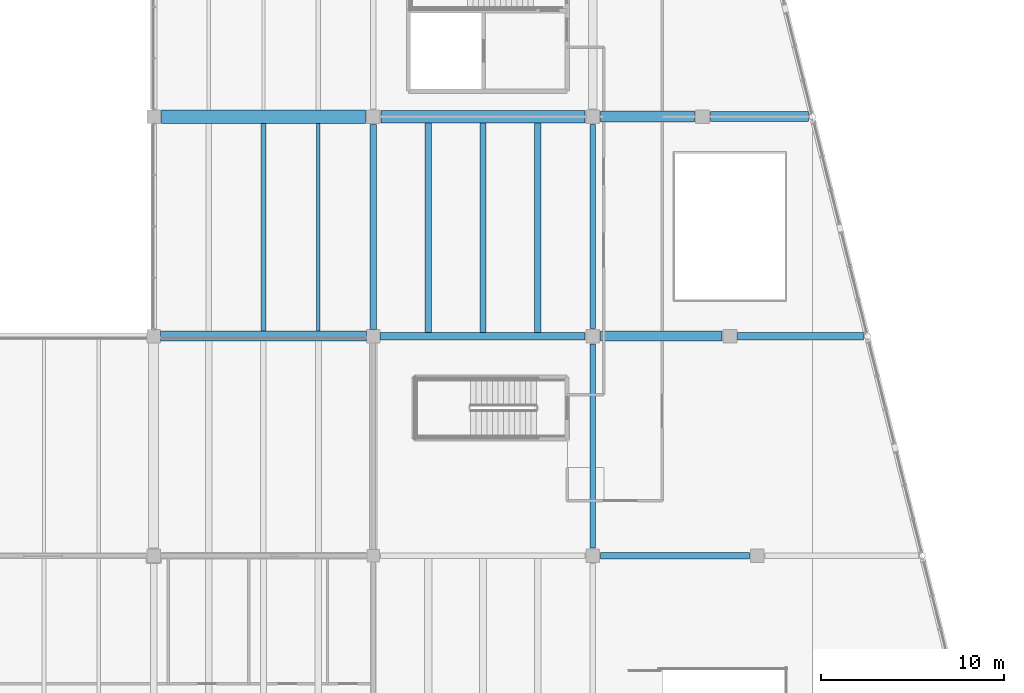
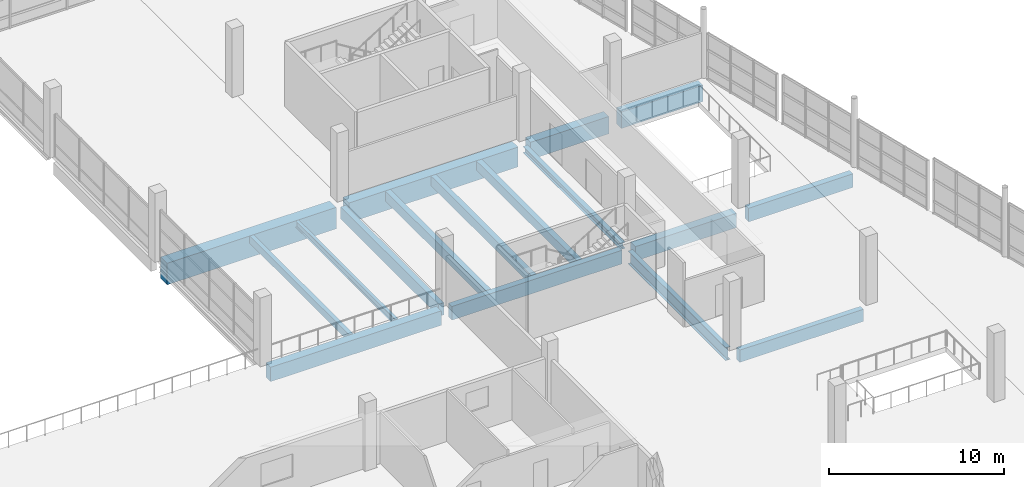
# One storey, part 38 of 112: 17 beams.
"""IFC4 building model written with IfcOpenShell, lengths in metres."""

from ifc_helpers import new_model, si_unit, direction, frame, origin, origin_2d, place, context, subcontext, project, spatial, rectangle, i_section, extrude, material, material_profile, profile_set, type_object, element, save


model = new_model("IFC4")

# Units and contexts
model_context = context("Model", 3, precision=1e-05, world=origin(), true_north=direction((0.0, 1.0)))
body_context = subcontext(model_context, "Body", "Model", "MODEL_VIEW")
ifc_project = project(units=[si_unit("LENGTHUNIT", "METRE"), si_unit("AREAUNIT", "SQUARE_METRE"), si_unit("VOLUMEUNIT", "CUBIC_METRE"), si_unit("PLANEANGLEUNIT", "RADIAN"), si_unit("MASSUNIT", "GRAM", prefix="KILO")], contexts=[model_context])

# Site, building, storey
site_placement = place(None, origin())
site = spatial("IfcSite", under=ifc_project, at=site_placement, CompositionType="ELEMENT")
building_placement = place(site_placement, origin())
building = spatial("IfcBuilding", under=site, at=building_placement, Name="Kamomehara Wholesale Market", CompositionType="ELEMENT")
storey_placement = place(building_placement, frame((0.0, 0.0, 6.60009765625)))
storey = spatial("IfcBuildingStorey", under=building, at=storey_placement, Name="L01", CompositionType="ELEMENT", Elevation=6.60009765625)

# Beams
ifc_material_1 = material(Name="Precast concrete Fc45 (C40/50)", Category="concrete")
ifc_material_profile_1 = material_profile(ifc_material_1, rectangle(XDim=0.550048828125, YDim=1.14990234375, at=origin_2d()), Name="PC-GRD-550x1150")
ifc_profile_set_1 = profile_set([ifc_material_profile_1], Name="Precast concrete Fc45 (C40/50)")
beam_type_1 = type_object("IfcBeamType", Name="BM-PG1150", PredefinedType="T_BEAM", material=ifc_profile_set_1)
beam_1_placement = place(storey_placement, frame((186.425048828125, 72.0, -0.927001953125), z_axis=(1.0, 0.0, 0.0), x_axis=(0.0, 1.0, 0.0)))
element("IfcBeam", 1, at=beam_1_placement, inside=storey, type_object=beam_type_1, Name="Beam PG-06 L01", PredefinedType="T_BEAM", context=body_context, shape_type="SweptSolid", body=[
    extrude(rectangle(XDim=0.550048828125, YDim=1.14990234375, at=origin_2d()), origin(), (0.0, 0.0, 1.0), 5.3720703125),
])
ifc_material_2 = material(Name="Precast concrete Fc45 (C40/50)", Category="concrete")
ifc_material_profile_2 = material_profile(ifc_material_2, rectangle(XDim=0.60009765625, YDim=1.199951171875, at=origin_2d()), Name="PC-GRD-600x1200")
ifc_profile_set_2 = profile_set([ifc_material_profile_2], Name="Precast concrete Fc45 (C40/50)")
beam_type_2 = type_object("IfcBeamType", Name="BM-PG1200", PredefinedType="T_BEAM", material=ifc_profile_set_2)
beam_2_placement = place(storey_placement, frame((180.425048828125, 72.0, -0.9521484375), z_axis=(1.0, 0.0, 0.0), x_axis=(0.0, 1.0, 0.0)))
element("IfcBeam", 2, at=beam_2_placement, inside=storey, type_object=beam_type_2, Name="Beam PG-05 L01", PredefinedType="T_BEAM", context=body_context, shape_type="SweptSolid", body=[
    extrude(rectangle(XDim=0.60009765625, YDim=1.199951171875, at=origin_2d()), origin(), (0.0, 0.0, 1.0), 5.14990234375),
])
ifc_material_3 = material(Name="Precast concrete Fc45 (C40/50)", Category="concrete")
ifc_material_profile_3 = material_profile(ifc_material_3, rectangle(XDim=0.679931640625, YDim=1.3798828125, at=origin_2d()), Name="PC-GRD-680x1380")
ifc_profile_set_3 = profile_set([ifc_material_profile_3], Name="Precast concrete Fc45 (C40/50)")
beam_type_3 = type_object("IfcBeamType", Name="BM-PG1380", PredefinedType="T_BEAM", material=ifc_profile_set_3)
beam_3_placement = place(storey_placement, frame((168.425048828125, 72.0, -1.0419921875), z_axis=(1.0, 0.0, 0.0), x_axis=(0.0, 1.0, 0.0)))
element("IfcBeam", 3, at=beam_3_placement, inside=storey, type_object=beam_type_3, Name="Beam PG-12 L01", PredefinedType="T_BEAM", context=body_context, shape_type="SweptSolid", body=[
    extrude(rectangle(XDim=0.679931640625, YDim=1.3798828125, at=origin_2d()), origin(), (0.0, 0.0, 1.0), 11.14990234375),
])
ifc_material_4 = material(Name="Precast concrete Fc45 (C40/50)", Category="concrete")
ifc_material_profile_4 = material_profile(ifc_material_4, rectangle(XDim=0.75, YDim=1.5, at=origin_2d()), Name="PC-GRD-750x1500")
ifc_profile_set_4 = profile_set([ifc_material_profile_4], Name="Precast concrete Fc45 (C40/50)")
beam_type_4 = type_object("IfcBeamType", Name="BM-PG1500", PredefinedType="T_BEAM", material=ifc_profile_set_4)
beam_4_placement = place(storey_placement, frame((156.425048828125, 72.0, -1.08203125), z_axis=(1.0, 0.0, 0.0), x_axis=(0.0, 1.0, 0.0)))
element("IfcBeam", 4, at=beam_4_placement, inside=storey, type_object=beam_type_4, Name="Beam PG-01 L01", PredefinedType="T_BEAM", context=body_context, shape_type="SweptSolid", body=[
    extrude(rectangle(XDim=0.75, YDim=1.5, at=origin_2d()), origin(), (0.0, 0.0, 1.0), 11.14990234375),
])
ifc_material_5 = material(Name="Precast concrete Fc45 (C40/50)", Category="concrete")
ifc_material_profile_5 = material_profile(ifc_material_5, rectangle(XDim=0.280029296875, YDim=0.5, at=origin_2d()), Name="PC-JST-280x500")
ifc_profile_set_5 = profile_set([ifc_material_profile_5], Name="Precast concrete Fc45 (C40/50)")
beam_type_5 = type_object("IfcBeamType", Name="BM-PJ500", PredefinedType="JOIST", material=ifc_profile_set_5)
beam_5_placement = place(storey_placement, frame((162.0, 60.27490234375, -0.58203125), z_axis=(0.0, 1.0, 0.0), x_axis=(-1.0, 0.0, 0.0)))
element("IfcBeam", 5, at=beam_5_placement, inside=storey, type_object=beam_type_5, Name="Beam PJ-11 L01", PredefinedType="JOIST", context=body_context, shape_type="SweptSolid", body=[
    extrude(rectangle(XDim=0.280029296875, YDim=0.5, at=origin_2d()), origin(), (0.0, 0.0, 1.0), 11.35009765625),
])
ifc_material_6 = material(Name="Precast concrete Fc45 (C40/50)", Category="concrete")
ifc_material_profile_6 = material_profile(ifc_material_6, rectangle(XDim=0.35009765625, YDim=0.64990234375, at=origin_2d()), Name="PC-JST-350x650")
ifc_profile_set_6 = profile_set([ifc_material_profile_6], Name="Precast concrete Fc45 (C40/50)")
beam_type_6 = type_object("IfcBeamType", Name="BM-PJ650", PredefinedType="JOIST", material=ifc_profile_set_6)
beam_6_placement = place(storey_placement, frame((177.0, 60.199951171875, -0.677001953125), z_axis=(0.0, 1.0, 0.0), x_axis=(-1.0, 0.0, 0.0)))
element("IfcBeam", 6, at=beam_6_placement, inside=storey, type_object=beam_type_6, Name="Beam PJ-04 L01", PredefinedType="JOIST", context=body_context, shape_type="SweptSolid", body=[
    extrude(rectangle(XDim=0.35009765625, YDim=0.64990234375, at=origin_2d()), origin(), (0.0, 0.0, 1.0), 11.4599609375),
])
ifc_material_7 = material(Name="Precast concrete Fc45 (C40/50)", Category="concrete")
ifc_material_profile_7 = material_profile(ifc_material_7, rectangle(XDim=0.340087890625, YDim=0.679931640625, at=origin_2d()), Name="PC-JST-340x680")
ifc_profile_set_7 = profile_set([ifc_material_profile_7], Name="Precast concrete Fc45 (C40/50)")
beam_type_7 = type_object("IfcBeamType", Name="BM-PJ680", PredefinedType="JOIST", material=ifc_profile_set_7)
beam_7_placement = place(storey_placement, frame((174.0, 60.199951171875, -0.692138671875), z_axis=(0.0, 1.0, 0.0), x_axis=(-1.0, 0.0, 0.0)))
element("IfcBeam", 7, at=beam_7_placement, inside=storey, type_object=beam_type_7, Name="Beam PJ-09 L01", PredefinedType="JOIST", context=body_context, shape_type="SweptSolid", body=[
    extrude(rectangle(XDim=0.340087890625, YDim=0.679931640625, at=origin_2d()), origin(), (0.0, 0.0, 1.0), 11.4599609375),
])
ifc_material_8 = material(Name="Precast concrete Fc45 (C40/50)", Category="concrete")
ifc_material_profile_8 = material_profile(ifc_material_8, rectangle(XDim=0.35009765625, YDim=0.699951171875, at=origin_2d()), Name="PC-JST-350x700")
ifc_profile_set_8 = profile_set([ifc_material_profile_8], Name="Precast concrete Fc45 (C40/50)")
beam_type_8 = type_object("IfcBeamType", Name="BM-PJ700", PredefinedType="JOIST", material=ifc_profile_set_8)
beam_8_placement = place(storey_placement, frame((171.0, 60.199951171875, -0.7021484375), z_axis=(0.0, 1.0, 0.0), x_axis=(-1.0, 0.0, 0.0)))
element("IfcBeam", 8, at=beam_8_placement, inside=storey, type_object=beam_type_8, Name="Beam PJ-03 L01", PredefinedType="JOIST", context=body_context, shape_type="SweptSolid", body=[
    extrude(rectangle(XDim=0.35009765625, YDim=0.699951171875, at=origin_2d()), origin(), (0.0, 0.0, 1.0), 11.4599609375),
])
ifc_material_9 = material(Name="Concrete Fc36 (C35/45)", Category="concrete")
ifc_material_profile_9 = material_profile(ifc_material_9, rectangle(XDim=0.550048828125, YDim=1.0, at=origin_2d()), Name="RC-SEB-550x1000")
ifc_profile_set_9 = profile_set([ifc_material_profile_9], Name="Concrete Fc36 (C35/45)")
beam_type_9 = type_object("IfcBeamType", Name="BM-SEB1000-EXT", PredefinedType="SPANDREL", material=ifc_profile_set_9)
beam_9_placement = place(storey_placement, frame((156.375, 60.0, -0.84716796875), z_axis=(1.0, 0.0, 0.0), x_axis=(0.0, 1.0, 0.0)))
element("IfcBeam", 9, at=beam_9_placement, inside=storey, type_object=beam_type_9, Name="Beam SEB-03E L01", PredefinedType="SPANDREL", context=body_context, shape_type="SweptSolid", body=[
    extrude(rectangle(XDim=0.550048828125, YDim=1.0, at=origin_2d()), origin(), (0.0, 0.0, 1.0), 11.25),
])
beam_10_placement = place(storey_placement, frame((180.425048828125, 60.0, -0.85205078125), z_axis=(1.0, 0.0, 0.0), x_axis=(0.0, 1.0, 0.0)))
element("IfcBeam", 10, at=beam_10_placement, inside=storey, type_object=beam_type_9, Name="Beam SEB-03E L01", PredefinedType="SPANDREL", context=body_context, shape_type="SweptSolid", body=[
    extrude(rectangle(XDim=0.550048828125, YDim=1.0, at=origin_2d()), origin(), (0.0, 0.0, 1.0), 6.64990234375),
])
ifc_material_10 = material(Name="Precast concrete Fc45 (C40/50)", Category="concrete")
ifc_material_profile_10 = material_profile(ifc_material_10, rectangle(XDim=0.35009765625, YDim=0.85009765625, at=origin_2d()), Name="PC-SPN-350x850")
ifc_profile_set_10 = profile_set([ifc_material_profile_10], Name="Precast concrete Fc45 (C40/50)")
beam_type_10 = type_object("IfcBeamType", Name="BM-SPN850-EXT", PredefinedType="SPANDREL", material=ifc_profile_set_10)
beam_11_placement = place(storey_placement, frame((180.425048828125, 48.0, -0.777099609375), z_axis=(1.0, 0.0, 0.0), x_axis=(0.0, 1.0, 0.0)))
element("IfcBeam", 11, at=beam_11_placement, inside=storey, type_object=beam_type_10, Name="Beam SPN-02E L01", PredefinedType="SPANDREL", context=body_context, shape_type="SweptSolid", body=[
    extrude(rectangle(XDim=0.35009765625, YDim=0.85009765625, at=origin_2d()), origin(), (0.0, 0.0, 1.0), 8.14990234375),
])
beam_12_placement = place(storey_placement, frame((168.0, 60.375, -0.777099609375), z_axis=(0.0, 1.0, 0.0), x_axis=(-1.0, 0.0, 0.0)))
element("IfcBeam", 12, at=beam_12_placement, inside=storey, type_object=beam_type_10, Name="Beam SPN-02E L01", PredefinedType="SPANDREL", context=body_context, shape_type="SweptSolid", body=[
    extrude(rectangle(XDim=0.35009765625, YDim=0.85009765625, at=origin_2d()), origin(), (0.0, 0.0, 1.0), 11.199951171875),
])
ifc_material_11 = material(Name="Precast concrete Fc45 (C40/50)", Category="concrete")
ifc_material_profile_11 = material_profile(ifc_material_11, rectangle(XDim=0.39990234375, YDim=0.949951171875, at=origin_2d()), Name="PC-SPN-400x950")
ifc_profile_set_11 = profile_set([ifc_material_profile_11], Name="Precast concrete Fc45 (C40/50)")
beam_type_11 = type_object("IfcBeamType", Name="BM-SPN950-EXT", PredefinedType="SPANDREL", material=ifc_profile_set_11)
beam_13_placement = place(storey_placement, frame((168.375, 60.0, -0.8271484375), z_axis=(1.0, 0.0, 0.0), x_axis=(0.0, 1.0, 0.0)))
element("IfcBeam", 13, at=beam_13_placement, inside=storey, type_object=beam_type_11, Name="Beam SPN-01E L01", PredefinedType="SPANDREL", context=body_context, shape_type="SweptSolid", body=[
    extrude(rectangle(XDim=0.39990234375, YDim=0.949951171875, at=origin_2d()), origin(), (0.0, 0.0, 1.0), 11.199951171875),
])
beam_14_placement = place(storey_placement, frame((187.925048828125, 60.0, -0.8271484375), z_axis=(1.0, 0.0, 0.0), x_axis=(0.0, 1.0, 0.0)))
element("IfcBeam", 14, at=beam_14_placement, inside=storey, type_object=beam_type_11, Name="Beam SPN-01E L01", PredefinedType="SPANDREL", context=body_context, shape_type="SweptSolid", body=[
    extrude(rectangle(XDim=0.39990234375, YDim=0.949951171875, at=origin_2d()), origin(), (0.0, 0.0, 1.0), 6.8720703125),
])
ifc_material_12 = material(Name="Steel SN490B", Category="steel")
ifc_material_profile_12 = material_profile(ifc_material_12, i_section(OverallWidth=0.300048828125, OverallDepth=0.43994140625, WebThickness=0.010986328125, FlangeThickness=0.01806640625, FilletRadius=0.01806640625, at=origin_2d()), Name="H-440x300x11x18")
ifc_profile_set_12 = profile_set([ifc_material_profile_12], Name="Steel SN490B")
beam_type_12 = type_object("IfcBeamType", Name="BM-ST-H440", PredefinedType="BEAM", material=ifc_profile_set_12)
beam_15_placement = place(storey_placement, frame((180.0, 60.425048828125, -0.572021484375), z_axis=(0.0, 1.0, 0.0), x_axis=(-1.0, 0.0, 0.0)))
element("IfcBeam", 15, at=beam_15_placement, inside=storey, type_object=beam_type_12, Name="Beam SG-11 L01", PredefinedType="BEAM", context=body_context, shape_type="SweptSolid", body=[
    extrude(i_section(OverallWidth=0.300048828125, OverallDepth=0.43994140625, WebThickness=0.010986328125, FlangeThickness=0.01806640625, FilletRadius=0.01806640625, at=origin_2d()), origin(), (0.0, 0.0, 1.0), 11.14990234375),
])
ifc_material_13 = material(Name="Steel SN400B", Category="steel")
ifc_material_profile_13 = material_profile(ifc_material_13, i_section(OverallWidth=0.199951171875, OverallDepth=0.449951171875, WebThickness=0.009033203125, FlangeThickness=0.013916015625, FilletRadius=0.012939453125, at=origin_2d()), Name="H-450x200x9x14")
ifc_profile_set_13 = profile_set([ifc_material_profile_13], Name="Steel SN400B")
beam_type_13 = type_object("IfcBeamType", Name="BM-ST-H450", PredefinedType="JOIST", material=ifc_profile_set_13)
beam_16_placement = place(storey_placement, frame((165.0, 60.27490234375, -0.55712890625), z_axis=(0.0, 1.0, 0.0), x_axis=(-1.0, 0.0, 0.0)))
element("IfcBeam", 16, at=beam_16_placement, inside=storey, type_object=beam_type_13, Name="Beam SJ-01 L01", PredefinedType="JOIST", context=body_context, shape_type="SweptSolid", body=[
    extrude(i_section(OverallWidth=0.199951171875, OverallDepth=0.449951171875, WebThickness=0.009033203125, FlangeThickness=0.013916015625, FilletRadius=0.012939453125, at=origin_2d()), origin(), (0.0, 0.0, 1.0), 11.35009765625),
])
ifc_material_14 = material(Name="Steel SN490B", Category="steel")
ifc_material_profile_14 = material_profile(ifc_material_14, i_section(OverallWidth=0.300048828125, OverallDepth=0.89990234375, WebThickness=0.01611328125, FlangeThickness=0.028076171875, FilletRadius=0.02392578125, at=origin_2d()), Name="H-900x300x16x28")
ifc_profile_set_14 = profile_set([ifc_material_profile_14], Name="Steel SN490B")
beam_type_14 = type_object("IfcBeamType", Name="BM-ST-H900", PredefinedType="BEAM", material=ifc_profile_set_14)
beam_17_placement = place(storey_placement, frame((180.0, 48.425048828125, -0.802001953125), z_axis=(0.0, 1.0, 0.0), x_axis=(-1.0, 0.0, 0.0)))
element("IfcBeam", 17, at=beam_17_placement, inside=storey, type_object=beam_type_14, Name="Beam SG-01 L01", PredefinedType="BEAM", context=body_context, shape_type="SweptSolid", body=[
    extrude(i_section(OverallWidth=0.300048828125, OverallDepth=0.89990234375, WebThickness=0.01611328125, FlangeThickness=0.028076171875, FilletRadius=0.02392578125, at=origin_2d()), origin(), (0.0, 0.0, 1.0), 11.14990234375),
])

save(model, "model.ifc")
